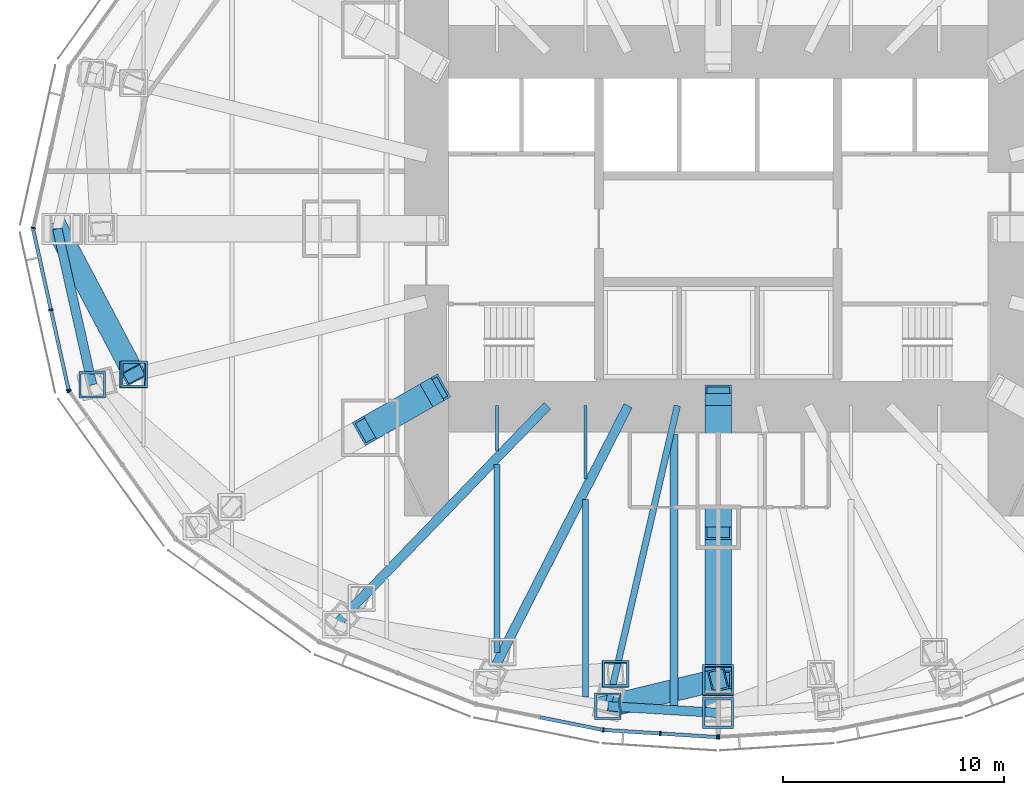
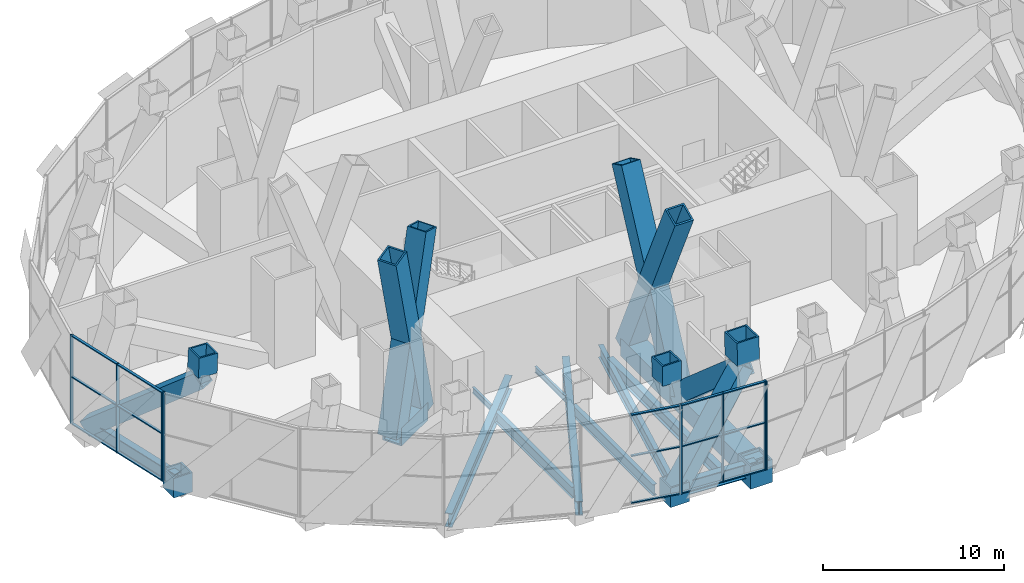
# One storey, part 3 of 21: 36 members, 13 beams, 6 elements without a shape of their own.
"""IFC4 building model written with IfcOpenShell, lengths in metres."""

import ifcopenshell
import ifcopenshell.guid

model = None  # the IFC model being written
_history = None  # IfcOwnerHistory: only IFC2X3 demands one
_inside = {}  # id of a spatial element -> (the spatial element, [elements in it])
_under = {}  # id of a project, library or spatial element -> (it, [spatial elements below it])
_declared = {}  # id of a project -> (the project, [libraries it declares])
_typed = {}  # id of a type object -> (the type object, [elements of that type])
_made_of = {}  # id of a material, layer set ... -> (it, [elements and type objects made of it])


def new_model(schema):
    """Start an empty IFC model of exactly this schema.

    Asked for "IFC4X3", IfcOpenShell would pick the latest addendum, in which some entities
    have other attributes; the version numbers below select the first issue.
    IFC2X3 requires an IfcOwnerHistory on every rooted entity: one is made here for all.
    """
    global model, _history
    if schema == "IFC4X3":
        model = ifcopenshell.file(schema_version=(4, 3, 0, 0))
    else:
        model = ifcopenshell.file(schema=schema)
    _inside.clear()
    _under.clear()
    _declared.clear()
    _typed.clear()
    _made_of.clear()
    _history = None
    if model.schema == "IFC2X3":
        org = make("IfcOrganization", Name="unknown")
        user = make(
            "IfcPersonAndOrganization",
            ThePerson=make("IfcPerson", FamilyName="unknown"),
            TheOrganization=org,
        )
        app = make(
            "IfcApplication",
            ApplicationDeveloper=org,
            Version="unknown",
            ApplicationFullName="unknown",
            ApplicationIdentifier="unknown",
        )
        _history = make(
            "IfcOwnerHistory",
            OwningUser=user,
            OwningApplication=app,
            ChangeAction="ADDED",
            CreationDate=0,
        )
    return model


def make(cls, **values):
    """One entity of the class cls with the attributes given. An attribute that is None is left unset."""
    return model.create_entity(
        cls, **{name: value for name, value in values.items() if value is not None}
    )


def rooted(cls, **values):
    """An entity with a GlobalId (a new one), such as an element, a storey or a relation."""
    return make(cls, GlobalId=ifcopenshell.guid.new(), OwnerHistory=_history, **values)


def si_unit(unit_type, name, prefix=None):
    """IfcSIUnit, for example si_unit("LENGTHUNIT", "METRE", prefix="MILLI")."""
    return make("IfcSIUnit", UnitType=unit_type, Prefix=prefix, Name=name)


def assignment(units):
    """IfcUnitAssignment: the units of a project."""
    return None if units is None else make("IfcUnitAssignment", Units=units)


def point(xyz):
    """IfcCartesianPoint."""
    return None if xyz is None else make("IfcCartesianPoint", Coordinates=xyz)


def direction(xyz):
    """IfcDirection."""
    return None if xyz is None else make("IfcDirection", DirectionRatios=xyz)


def frame(location, z_axis=None, x_axis=None):
    """IfcAxis2Placement3D, a coordinate frame: its origin and axes. An axis left out is left unset."""
    return make(
        "IfcAxis2Placement3D",
        Location=point(location),
        Axis=direction(z_axis),
        RefDirection=direction(x_axis),
    )


def frame_2d(location, x_axis=None):
    """IfcAxis2Placement2D, a coordinate frame in the plane: its origin and x axis."""
    return make(
        "IfcAxis2Placement2D", Location=point(location), RefDirection=direction(x_axis)
    )


def origin():
    """The frame at (0, 0, 0) with its axes left unset."""
    return frame((0.0, 0.0, 0.0))


def origin_2d():
    """The frame at (0, 0) in the plane with its x axis left unset."""
    return frame_2d((0.0, 0.0))


def place(relative_to, where):
    """IfcLocalPlacement: puts the frame where relative to a parent placement (None: the world)."""
    return make(
        "IfcLocalPlacement", PlacementRelTo=relative_to, RelativePlacement=where
    )


def context(
    kind, dimensions, precision=None, world=None, true_north=None, identifier=None
):
    """IfcGeometricRepresentationContext, for example the 3D "Model" context."""
    return make(
        "IfcGeometricRepresentationContext",
        ContextIdentifier=identifier,
        ContextType=kind,
        CoordinateSpaceDimension=dimensions,
        Precision=precision,
        WorldCoordinateSystem=world,
        TrueNorth=true_north,
    )


def subcontext(parent, identifier, kind, view, scale=None):
    """IfcGeometricRepresentationSubContext, for example "Body" below "Model"."""
    return make(
        "IfcGeometricRepresentationSubContext",
        ContextIdentifier=identifier,
        ContextType=kind,
        ParentContext=parent,
        TargetScale=scale,
        TargetView=view,
    )


def project(units=None, contexts=None):
    """IfcProject with its units and contexts."""
    return rooted(
        "IfcProject",
        Name="project",
        RepresentationContexts=contexts,
        UnitsInContext=assignment(units),
    )


def spatial(cls, under=None, at=None, **own):
    """A site, building, storey or space (cls), placed at a placement, below another one or the project."""
    s = rooted(cls, ObjectPlacement=at, **own)
    if under is not None:
        _under.setdefault(under.id(), (under, []))[1].append(s)
    return s


def profile(cls, at=None, kind="AREA", **sizes):
    """A parametric profile (cls). Its sizes go by their IFC names, for example OverallWidth=200.0."""
    return make(cls, ProfileType=kind, Position=at, **sizes)


def rectangle(**sizes):
    """IfcRectangleProfileDef."""
    return profile("IfcRectangleProfileDef", **sizes)


def hollow_rectangle(**sizes):
    """IfcRectangleHollowProfileDef."""
    return profile("IfcRectangleHollowProfileDef", **sizes)


def i_section(**sizes):
    """IfcIShapeProfileDef."""
    return profile("IfcIShapeProfileDef", **sizes)


def extrude(swept, where, along, depth):
    """IfcExtrudedAreaSolid: the profile swept, set in the frame where, extruded along a direction by depth."""
    return make(
        "IfcExtrudedAreaSolid",
        SweptArea=swept,
        Position=where,
        ExtrudedDirection=direction(along),
        Depth=depth,
    )


def shape(context_of_items, identifier, shape_type, items):
    """IfcShapeRepresentation: the items that make up one representation, for example the "Body"."""
    return make(
        "IfcShapeRepresentation",
        ContextOfItems=context_of_items,
        RepresentationIdentifier=identifier,
        RepresentationType=shape_type,
        Items=items,
    )


def material(Name=None, Category=None):
    """IfcMaterial."""
    return make("IfcMaterial", Name=Name, Category=Category)


def material_profile(
    of_material, cross_section, Name=None, Category=None, Priority=None
):
    """IfcMaterialProfile: a cross section and its material."""
    return make(
        "IfcMaterialProfile",
        Name=Name,
        Material=of_material,
        Profile=cross_section,
        Priority=Priority,
        Category=Category,
    )


def profile_set(profiles, Name=None, composite=None):
    """IfcMaterialProfileSet."""
    return make(
        "IfcMaterialProfileSet",
        Name=Name,
        MaterialProfiles=profiles,
        CompositeProfile=composite,
    )


def made_of(thing, what):
    """Note that an element or type object is made of a material, layer set ...; save() writes the relation."""
    if what is not None:
        _made_of.setdefault(what.id(), (what, []))[1].append(thing)
    return thing


def type_object(cls, material=None, **own):
    """A type object (cls), such as IfcWallType, which elements share."""
    return made_of(rooted(cls, **own), material)


def element(
    cls,
    number,
    at=None,
    inside=None,
    cuts=None,
    type_object=None,
    material=None,
    context=None,
    identifier="Body",
    shape_type=None,
    held_by="IfcProductDefinitionShape",
    body=None,
    shapes=None,
    **own,
):
    """One element of the class cls, such as IfcWall. Its Tag is "e" and its number.

    at: its placement. inside: the storey or other place that contains it. cuts: it is an
    opening in that element (IfcRelVoidsElement). A single representation is given by context,
    identifier, shape_type and body (its items); several are given by shapes. held_by: the class
    of the entity that holds the representations. save() writes the other relations.
    """
    e = rooted(cls, Tag="e%d" % number, ObjectPlacement=at, **own)
    if body is not None:
        shapes = [shape(context, identifier, shape_type, body)]
    if shapes is not None:
        e.Representation = make(held_by, Representations=shapes)
    if inside is not None:
        _inside.setdefault(inside.id(), (inside, []))[1].append(e)
    if cuts is not None:
        rooted(
            "IfcRelVoidsElement", RelatingBuildingElement=cuts, RelatedOpeningElement=e
        )
    if type_object is not None:
        _typed.setdefault(type_object.id(), (type_object, []))[1].append(e)
    return made_of(e, material)


def aggregate(whole, parts):
    """IfcRelAggregates: a whole, such as a stair, and the parts it consists of."""
    return rooted("IfcRelAggregates", RelatingObject=whole, RelatedObjects=parts)


def save(model, path):
    """Write the relations noted so far, then the file.

    IfcRelAggregates (storeys below a building ...), IfcRelContainedInSpatialStructure (elements
    in a storey), IfcRelDefinesByType, IfcRelAssociatesMaterial and IfcRelDeclares: one each for
    every whole, place, type object, material and project.
    """
    for whole, parts in _under.values():
        aggregate(whole, parts)
    for where, things in _inside.values():
        rooted(
            "IfcRelContainedInSpatialStructure",
            RelatedElements=things,
            RelatingStructure=where,
        )
    for kind, things in _typed.values():
        rooted("IfcRelDefinesByType", RelatedObjects=things, RelatingType=kind)
    for what, things in _made_of.values():
        rooted("IfcRelAssociatesMaterial", RelatedObjects=things, RelatingMaterial=what)
    for by, libraries in _declared.values():
        rooted("IfcRelDeclares", RelatingContext=by, RelatedDefinitions=libraries)
    model.write(path)


model = new_model("IFC4")

# Units and contexts
model_context = context("Model", 3, precision=1e-05, world=origin(), true_north=direction((0.0, 1.0)))
body_context = subcontext(model_context, "Body", "Model", "MODEL_VIEW")
ifc_project = project(units=[si_unit("LENGTHUNIT", "METRE"), si_unit("AREAUNIT", "SQUARE_METRE"), si_unit("VOLUMEUNIT", "CUBIC_METRE"), si_unit("PLANEANGLEUNIT", "RADIAN"), si_unit("MASSUNIT", "GRAM", prefix="KILO")], contexts=[model_context])

# Site, building, storey
site_placement = place(None, origin())
site = spatial("IfcSite", under=ifc_project, at=site_placement, CompositionType="ELEMENT")
building_placement = place(site_placement, origin())
building = spatial("IfcBuilding", under=site, at=building_placement, Name="Lantaw Convention Tower", CompositionType="ELEMENT")
storey_placement = place(building_placement, frame((0.0, 0.0, 105.39990234375)))
storey = spatial("IfcBuildingStorey", under=building, at=storey_placement, Name="L25", CompositionType="ELEMENT", Elevation=105.39990234375)

# Beams
ifc_material_1 = material(Name="Steel ASTM A992", Category="steel")
ifc_material_profile_1 = material_profile(ifc_material_1, i_section(OverallWidth=0.424072265625, OverallDepth=0.947509765625, WebThickness=0.02392578125, FlangeThickness=0.042724609375, FilletRadius=0.012451171875, at=origin_2d()), Name="W36X302")
ifc_profile_set_1 = profile_set([ifc_material_profile_1], Name="Steel ASTM A992")
beam_type_1 = type_object("IfcBeamType", Name="Beam BC W36X302", PredefinedType="SPANDREL", material=ifc_profile_set_1)
beam_1_placement = place(storey_placement, frame((-29.89990234375, 0.0, -0.673583984375), z_axis=(0.218652184873, -0.975802860239, 0.0), x_axis=(0.975802860239, 0.218652184873, 0.0)))
element("IfcBeam", 1, at=beam_1_placement, inside=storey, type_object=beam_type_1, Name="Belt truss chord 13", PredefinedType="SPANDREL", context=body_context, shape_type="SweptSolid", body=[
    extrude(i_section(OverallWidth=0.424072265625, OverallDepth=0.947509765625, WebThickness=0.02392578125, FlangeThickness=0.042724609375, FilletRadius=0.012451171875, at=origin_2d()), origin(), (0.0, 0.0, 1.0), 7.2353515625),
])
beam_2_placement = place(storey_placement, frame((-4.986328125, -21.59814453125, -0.673583984375), z_axis=(0.998173858406, -0.060406526096, 0.0), x_axis=(0.060406526096, 0.998173858406, 0.0)))
element("IfcBeam", 2, at=beam_2_placement, inside=storey, type_object=beam_type_1, Name="Belt truss chord 18", PredefinedType="SPANDREL", context=body_context, shape_type="SweptSolid", body=[
    extrude(i_section(OverallWidth=0.424072265625, OverallDepth=0.947509765625, WebThickness=0.02392578125, FlangeThickness=0.042724609375, FilletRadius=0.012451171875, at=origin_2d()), origin(), (0.0, 0.0, 1.0), 4.995361328125),
])
ifc_material_2 = material(Name="Steel EN 10025-3 S460N", Category="steel")
ifc_material_profile_2 = material_profile(ifc_material_2, hollow_rectangle(XDim=1.199951171875, YDim=1.199951171875, WallThickness=0.10009765625, at=origin_2d()), Name="BOX1200X100")
ifc_profile_set_2 = profile_set([ifc_material_profile_2], Name="Steel EN 10025-3 S460N")
beam_type_2 = type_object("IfcBeamType", Name="Beam G BOX1200X100", PredefinedType="BEAM", material=ifc_profile_set_2)
beam_3_placement = place(storey_placement, frame((0.0, -13.5, -0.7998046875), z_axis=(0.0, -1.0, 0.0), x_axis=(1.0, 0.0, 0.0)))
element("IfcBeam", 3, at=beam_3_placement, inside=storey, type_object=beam_type_2, Name="Floor girder on ray 19", PredefinedType="BEAM", context=body_context, shape_type="SweptSolid", body=[
    extrude(hollow_rectangle(XDim=1.199951171875, YDim=1.199951171875, WallThickness=0.10009765625, at=origin_2d()), origin(), (0.0, 0.0, 1.0), 8.39990234375),
])
ifc_material_profile_3 = material_profile(ifc_material_1, i_section(OverallWidth=0.2919921875, OverallDepth=0.845703125, WebThickness=0.015380859375, FlangeThickness=0.0244140625, FilletRadius=0.01513671875, at=origin_2d()), Name="W33X141")
ifc_profile_set_3 = profile_set([ifc_material_profile_3], Name="Steel ASTM A992")
beam_type_3 = type_object("IfcBeamType", Name="Beam G W33X141", PredefinedType="BEAM", material=ifc_profile_set_3)
beam_4_placement = place(storey_placement, frame((-1.846923828125, -8.0, -0.622802734375), z_axis=(-0.224952773175, -0.97436966796, 0.0), x_axis=(0.97436966796, -0.224952773175, 0.0)))
element("IfcBeam", 4, at=beam_4_placement, inside=storey, type_object=beam_type_3, Name="Floor girder on ray 18", PredefinedType="BEAM", context=body_context, shape_type="SweptSolid", body=[
    extrude(i_section(OverallWidth=0.2919921875, OverallDepth=0.845703125, WebThickness=0.015380859375, FlangeThickness=0.0244140625, FilletRadius=0.01513671875, at=origin_2d()), origin(), (0.0, 0.0, 1.0), 13.955810546875),
])
ifc_material_profile_4 = material_profile(ifc_material_1, i_section(OverallWidth=0.421630859375, OverallDepth=0.937255859375, WebThickness=0.0224609375, FlangeThickness=0.039794921875, FilletRadius=0.02001953125, at=origin_2d()), Name="W36X282")
ifc_profile_set_4 = profile_set([ifc_material_profile_4], Name="Steel ASTM A992")
beam_type_4 = type_object("IfcBeamType", Name="Beam G W36X282", PredefinedType="BEAM", material=ifc_profile_set_4)
beam_5_placement = place(storey_placement, frame((-7.7255859375, -8.0, -0.66845703125), z_axis=(-0.694649884291, -0.719347995239, 0.0), x_axis=(0.719347995239, -0.694649884291, 0.0)))
element("IfcBeam", 5, at=beam_5_placement, inside=storey, type_object=beam_type_4, Name="Floor girder on ray 16", PredefinedType="BEAM", context=body_context, shape_type="SweptSolid", body=[
    extrude(i_section(OverallWidth=0.421630859375, OverallDepth=0.937255859375, WebThickness=0.0224609375, FlangeThickness=0.039794921875, FilletRadius=0.02001953125, at=origin_2d()), origin(), (0.0, 0.0, 1.0), 13.769775390625),
])
beam_6_placement = place(storey_placement, frame((-4.076171875, -8.0, -0.66845703125), z_axis=(-0.453997016122, -0.891003203896, 0.0), x_axis=(0.891003203896, -0.453997016122, 0.0)))
element("IfcBeam", 6, at=beam_6_placement, inside=storey, type_object=beam_type_4, Name="Floor girder on ray 17", PredefinedType="BEAM", context=body_context, shape_type="SweptSolid", body=[
    extrude(i_section(OverallWidth=0.421630859375, OverallDepth=0.937255859375, WebThickness=0.0224609375, FlangeThickness=0.039794921875, FilletRadius=0.02001953125, at=origin_2d()), origin(), (0.0, 0.0, 1.0), 14.067138671875),
])
ifc_material_profile_5 = material_profile(ifc_material_1, i_section(OverallWidth=0.140380859375, OverallDepth=0.40380859375, WebThickness=0.007080078125, FlangeThickness=0.01123046875, FilletRadius=0.01025390625, at=origin_2d()), Name="W16X31")
ifc_profile_set_5 = profile_set([ifc_material_profile_5], Name="Steel ASTM A992")
beam_type_5 = type_object("IfcBeamType", Name="Beam J W16X31", PredefinedType="JOIST", material=ifc_profile_set_5)
beam_7_placement = place(storey_placement, frame((-10.0, -10.0517578125, -0.40185546875), z_axis=(0.0, 1.0, 0.0), x_axis=(-1.0, 0.0, 0.0)))
element("IfcBeam", 7, at=beam_7_placement, inside=storey, type_object=beam_type_5, Name="Floor joist", PredefinedType="JOIST", context=body_context, shape_type="SweptSolid", body=[
    extrude(i_section(OverallWidth=0.140380859375, OverallDepth=0.40380859375, WebThickness=0.007080078125, FlangeThickness=0.01123046875, FilletRadius=0.01025390625, at=origin_2d()), origin(), (0.0, 0.0, 1.0), 2.0517578125),
])
beam_8_placement = place(storey_placement, frame((-6.0, -11.311279296875, -0.40185546875), z_axis=(0.0, 1.0, 0.0), x_axis=(-1.0, 0.0, 0.0)))
element("IfcBeam", 8, at=beam_8_placement, inside=storey, type_object=beam_type_5, Name="Floor joist", PredefinedType="JOIST", context=body_context, shape_type="SweptSolid", body=[
    extrude(i_section(OverallWidth=0.140380859375, OverallDepth=0.40380859375, WebThickness=0.007080078125, FlangeThickness=0.01123046875, FilletRadius=0.01025390625, at=origin_2d()), origin(), (0.0, 0.0, 1.0), 3.311279296875),
])
ifc_material_profile_6 = material_profile(ifc_material_1, i_section(OverallWidth=0.2666015625, OverallDepth=0.7568359375, WebThickness=0.013916015625, FlangeThickness=0.019287109375, FilletRadius=0.0126953125, at=origin_2d()), Name="W30X108")
ifc_profile_set_6 = profile_set([ifc_material_profile_6], Name="Steel ASTM A992")
beam_type_6 = type_object("IfcBeamType", Name="Beam J W30X108", PredefinedType="JOIST", material=ifc_profile_set_6)
beam_9_placement = place(storey_placement, frame((-10.0, -19.16162109375, -0.578369140625), z_axis=(0.0, 1.0, 0.0), x_axis=(-1.0, 0.0, 0.0)))
element("IfcBeam", 9, at=beam_9_placement, inside=storey, type_object=beam_type_6, Name="Floor joist", PredefinedType="JOIST", context=body_context, shape_type="SweptSolid", body=[
    extrude(i_section(OverallWidth=0.2666015625, OverallDepth=0.7568359375, WebThickness=0.013916015625, FlangeThickness=0.019287109375, FilletRadius=0.0126953125, at=origin_2d()), origin(), (0.0, 0.0, 1.0), 8.5029296875),
])
ifc_material_profile_7 = material_profile(ifc_material_1, i_section(OverallWidth=0.2666015625, OverallDepth=0.76953125, WebThickness=0.015625, FlangeThickness=0.025390625, FilletRadius=0.0126953125, at=origin_2d()), Name="W30X132")
ifc_profile_set_7 = profile_set([ifc_material_profile_7], Name="Steel ASTM A992")
beam_type_7 = type_object("IfcBeamType", Name="Beam J W30X132", PredefinedType="JOIST", material=ifc_profile_set_7)
beam_10_placement = place(storey_placement, frame((-6.0, -21.18505859375, -0.584716796875), z_axis=(0.0, 1.0, 0.0), x_axis=(-1.0, 0.0, 0.0)))
element("IfcBeam", 10, at=beam_10_placement, inside=storey, type_object=beam_type_7, Name="Floor joist", PredefinedType="JOIST", context=body_context, shape_type="SweptSolid", body=[
    extrude(i_section(OverallWidth=0.2666015625, OverallDepth=0.76953125, WebThickness=0.015625, FlangeThickness=0.025390625, FilletRadius=0.0126953125, at=origin_2d()), origin(), (0.0, 0.0, 1.0), 8.945068359375),
])
ifc_material_profile_8 = material_profile(ifc_material_1, i_section(OverallWidth=0.381103515625, OverallDepth=0.772216796875, WebThickness=0.0166015625, FlangeThickness=0.027099609375, FilletRadius=0.0146484375, at=origin_2d()), Name="W30X173")
ifc_profile_set_8 = profile_set([ifc_material_profile_8], Name="Steel ASTM A992")
beam_type_8 = type_object("IfcBeamType", Name="Beam J W30X173", PredefinedType="JOIST", material=ifc_profile_set_8)
beam_11_placement = place(storey_placement, frame((-2.0, -21.56640625, -0.5859375), z_axis=(0.0, 1.0, 0.0), x_axis=(-1.0, 0.0, 0.0)))
element("IfcBeam", 11, at=beam_11_placement, inside=storey, type_object=beam_type_8, Name="Floor joist", PredefinedType="JOIST", context=body_context, shape_type="SweptSolid", body=[
    extrude(i_section(OverallWidth=0.381103515625, OverallDepth=0.772216796875, WebThickness=0.0166015625, FlangeThickness=0.027099609375, FilletRadius=0.0146484375, at=origin_2d()), origin(), (0.0, 0.0, 1.0), 12.254150390625),
])
ifc_material_profile_9 = material_profile(ifc_material_2, hollow_rectangle(XDim=1.199951171875, YDim=1.199951171875, WallThickness=0.10009765625, at=origin_2d()), Name="BOX1200X100")
ifc_profile_set_9 = profile_set([ifc_material_profile_9], Name="Steel EN 10025-3 S460N")
beam_type_9 = type_object("IfcBeamType", Name="Beam OC BOX1200X100", PredefinedType="BEAM", material=ifc_profile_set_9)
beam_12_placement = place(storey_placement, frame((-13.199951171875, -7.54296875, -0.7998046875), z_axis=(-0.868263603466, -0.496103129295, 0.0), x_axis=(0.496103129295, -0.868263603466, 0.0)))
element("IfcBeam", 12, at=beam_12_placement, inside=storey, type_object=beam_type_9, Name="Outrigger chord on ray 15", PredefinedType="BEAM", context=body_context, shape_type="SweptSolid", body=[
    extrude(hollow_rectangle(XDim=1.199951171875, YDim=1.199951171875, WallThickness=0.10009765625, at=origin_2d()), origin(), (0.0, 0.0, 1.0), 2.93701171875),
])
beam_13_placement = place(storey_placement, frame((0.0, -8.0, -0.7998046875), z_axis=(0.0, -1.0, 0.0), x_axis=(1.0, 0.0, 0.0)))
element("IfcBeam", 13, at=beam_13_placement, inside=storey, type_object=beam_type_9, Name="Outrigger chord on ray 19", PredefinedType="BEAM", context=body_context, shape_type="SweptSolid", body=[
    extrude(hollow_rectangle(XDim=1.199951171875, YDim=1.199951171875, WallThickness=0.10009765625, at=origin_2d()), origin(), (0.0, 0.0, 1.0), 5.5),
])

# Curtain wall, member
ifc_material_3 = material(Name="Aluminium framed curtain wall", Category="aluminium")
curtain_wall_type = type_object("IfcCurtainWallType", Name="Plant floor louvre wall, pale aluminium", PredefinedType="USERDEFINED", material=ifc_material_3)
curtain_wall_1_placement = place(storey_placement, origin())
curtain_wall_1 = element("IfcCurtainWall", 14, at=curtain_wall_1_placement, inside=storey, type_object=curtain_wall_type, Name="Plant floor louvre wall, pale aluminium L25", ObjectType="LOUVRE WALL", PredefinedType="USERDEFINED")
ifc_material_4 = material(Name="Aluminium 6063-T6", Category="aluminium")
ifc_material_profile_10 = material_profile(ifc_material_4, rectangle(XDim=0.199951171875, YDim=0.070068359375, at=origin_2d()), Name="CW-LV mullion 70x200")
ifc_profile_set_10 = profile_set([ifc_material_profile_10], Name="Aluminium 6063-T6")
member_type_1 = type_object("IfcMemberType", Name="CW-LV mullion 70x200", PredefinedType="MULLION", material=ifc_profile_set_10)
member_1_placement = place(storey_placement, frame((-30.992431640625, 0.0341796875, -0.199951171875), z_axis=(0.0, 0.0, 1.0), x_axis=(0.976559847223, -0.215246056391, 0.0)))
member_1 = element("IfcMember", 15, at=member_1_placement, type_object=member_type_1, Name="CW-LV mullion 3", PredefinedType="MULLION", context=body_context, shape_type="SweptSolid", body=[
    extrude(rectangle(XDim=0.199951171875, YDim=0.070068359375, at=origin_2d()), origin(), (0.0, 0.0, 1.0), 6.0),
])
aggregate(curtain_wall_1, [member_1])

# Curtain wall, members
curtain_wall_2_placement = place(storey_placement, origin())
curtain_wall_2 = element("IfcCurtainWall", 16, at=curtain_wall_2_placement, inside=storey, type_object=curtain_wall_type, Name="Plant floor louvre wall, pale aluminium L25", ObjectType="LOUVRE WALL", PredefinedType="USERDEFINED")
member_2_placement = place(storey_placement, frame((-30.192626953125, -3.663330078125, -0.199951171875), z_axis=(0.0, 0.0, 1.0), x_axis=(0.976559847223, 0.215246056391, 0.0)))
member_2 = element("IfcMember", 17, at=member_2_placement, type_object=member_type_1, Name="CW-LV mullion 2", PredefinedType="MULLION", context=body_context, shape_type="SweptSolid", body=[
    extrude(rectangle(XDim=0.199951171875, YDim=0.070068359375, at=origin_2d()), origin(), (0.0, 0.0, 1.0), 6.0),
])
member_3_placement = place(storey_placement, frame((-29.392578125, -7.29248046875, -0.199951171875), z_axis=(0.0, 0.0, 1.0), x_axis=(0.976559847223, 0.215246056391, 0.0)))
member_3 = element("IfcMember", 18, at=member_3_placement, type_object=member_type_1, Name="CW-LV mullion 3", PredefinedType="MULLION", context=body_context, shape_type="SweptSolid", body=[
    extrude(rectangle(XDim=0.199951171875, YDim=0.070068359375, at=origin_2d()), origin(), (0.0, 0.0, 1.0), 6.0),
])

# Curtain wall, member
curtain_wall_3_placement = place(storey_placement, origin())
curtain_wall_3 = element("IfcCurtainWall", 19, at=curtain_wall_3_placement, inside=storey, type_object=curtain_wall_type, Name="Plant floor louvre wall, pale aluminium L25", ObjectType="LOUVRE WALL", PredefinedType="USERDEFINED")
member_4_placement = place(storey_placement, frame((-29.36474609375, -7.35498046875, -0.199951171875), z_axis=(0.0, 0.0, 1.0), x_axis=(0.811788726895, 0.583951250436, 0.0)))
member_4 = element("IfcMember", 20, at=member_4_placement, type_object=member_type_1, Name="CW-LV mullion 1", PredefinedType="MULLION", context=body_context, shape_type="SweptSolid", body=[
    extrude(rectangle(XDim=0.199951171875, YDim=0.070068359375, at=origin_2d()), origin(), (0.0, 0.0, 1.0), 6.0),
])
aggregate(curtain_wall_3, [member_4])

# Curtain wall, members
curtain_wall_4_placement = place(storey_placement, origin())
curtain_wall_4 = element("IfcCurtainWall", 21, at=curtain_wall_4_placement, inside=storey, type_object=curtain_wall_type, Name="Plant floor louvre wall, pale aluminium L25", ObjectType="LOUVRE WALL", PredefinedType="USERDEFINED")
member_5_placement = place(storey_placement, frame((-5.19873046875, -22.672119140625, -0.199951171875), z_axis=(0.0, 0.0, 1.0), x_axis=(0.062958373078, 0.998016153807, 0.0)))
member_5 = element("IfcMember", 22, at=member_5_placement, type_object=member_type_1, Name="CW-LV mullion 1", PredefinedType="MULLION", context=body_context, shape_type="SweptSolid", body=[
    extrude(rectangle(XDim=0.199951171875, YDim=0.070068359375, at=origin_2d()), origin(), (0.0, 0.0, 1.0), 6.0),
])
member_6_placement = place(storey_placement, frame((-2.616943359375, -22.8349609375, -0.199951171875), z_axis=(0.0, 0.0, 1.0), x_axis=(0.062958373078, 0.998016153807, 0.0)))
member_6 = element("IfcMember", 23, at=member_6_placement, type_object=member_type_1, Name="CW-LV mullion 2", PredefinedType="MULLION", context=body_context, shape_type="SweptSolid", body=[
    extrude(rectangle(XDim=0.199951171875, YDim=0.070068359375, at=origin_2d()), origin(), (0.0, 0.0, 1.0), 6.0),
])
member_7_placement = place(storey_placement, frame((-0.034912109375, -22.997802734375, -0.199951171875), z_axis=(0.0, 0.0, 1.0), x_axis=(0.062958373078, 0.998016153807, 0.0)))
member_7 = element("IfcMember", 24, at=member_7_placement, type_object=member_type_1, Name="CW-LV mullion 3", PredefinedType="MULLION", context=body_context, shape_type="SweptSolid", body=[
    extrude(rectangle(XDim=0.199951171875, YDim=0.070068359375, at=origin_2d()), origin(), (0.0, 0.0, 1.0), 6.0),
])

# Curtain wall, member
curtain_wall_5_placement = place(storey_placement, origin())
curtain_wall_5 = element("IfcCurtainWall", 25, at=curtain_wall_5_placement, inside=storey, type_object=curtain_wall_type, Name="Plant floor louvre wall, pale aluminium L25", ObjectType="LOUVRE WALL", PredefinedType="USERDEFINED")
member_8_placement = place(storey_placement, frame((0.034912109375, -22.997802734375, -0.199951171875), z_axis=(0.0, 0.0, 1.0), x_axis=(-0.062958373078, 0.998016153807, 0.0)))
member_8 = element("IfcMember", 26, at=member_8_placement, type_object=member_type_1, Name="CW-LV mullion 1", PredefinedType="MULLION", context=body_context, shape_type="SweptSolid", body=[
    extrude(rectangle(XDim=0.199951171875, YDim=0.070068359375, at=origin_2d()), origin(), (0.0, 0.0, 1.0), 6.0),
])
aggregate(curtain_wall_5, [member_8])

# Member
ifc_material_profile_11 = material_profile(ifc_material_4, rectangle(XDim=0.159912109375, YDim=0.070068359375, at=origin_2d()), Name="CW-LV transom 70x160")
ifc_profile_set_11 = profile_set([ifc_material_profile_11], Name="Aluminium 6063-T6")
member_type_2 = type_object("IfcMemberType", Name="CW-LV transom 70x160", PredefinedType="USERDEFINED", material=ifc_profile_set_11)
member_9_placement = place(storey_placement, frame((-30.98486328125, -0.068359375, -0.164794921875), z_axis=(0.215200259718, -0.976569940259, 0.0), x_axis=(0.976569940259, 0.215200259718, 0.0)))
member_9 = element("IfcMember", 27, at=member_9_placement, type_object=member_type_2, Name="CW-LV transom 1.1", ObjectType="TRANSOM", PredefinedType="USERDEFINED", context=body_context, shape_type="SweptSolid", body=[
    extrude(rectangle(XDim=0.159912109375, YDim=0.070068359375, at=origin_2d()), origin(), (0.0, 0.0, 1.0), 3.646240234375),
])

member_10_placement = place(storey_placement, frame((-30.98486328125, -0.068359375, 3.0), z_axis=(0.215200259718, -0.976569940259, 0.0), x_axis=(0.976569940259, 0.215200259718, 0.0)))
member_10 = element("IfcMember", 28, at=member_10_placement, type_object=member_type_2, Name="CW-LV transom 1.2", ObjectType="TRANSOM", PredefinedType="USERDEFINED", context=body_context, shape_type="SweptSolid", body=[
    extrude(rectangle(XDim=0.159912109375, YDim=0.070068359375, at=origin_2d()), origin(), (0.0, 0.0, 1.0), 3.646240234375),
])

member_11_placement = place(storey_placement, frame((-30.98486328125, -0.068359375, 5.76513671875), z_axis=(0.215200259718, -0.976569940259, 0.0), x_axis=(0.976569940259, 0.215200259718, 0.0)))
member_11 = element("IfcMember", 29, at=member_11_placement, type_object=member_type_2, Name="CW-LV transom 1.3", ObjectType="TRANSOM", PredefinedType="USERDEFINED", context=body_context, shape_type="SweptSolid", body=[
    extrude(rectangle(XDim=0.159912109375, YDim=0.070068359375, at=origin_2d()), origin(), (0.0, 0.0, 1.0), 3.646240234375),
])

member_12_placement = place(storey_placement, frame((-30.18505859375, -3.697509765625, -0.164794921875), z_axis=(0.215264114619, -0.976555866788, 0.0), x_axis=(0.976555866788, 0.215264114619, 0.0)))
member_12 = element("IfcMember", 30, at=member_12_placement, type_object=member_type_2, Name="CW-LV transom 2.1", ObjectType="TRANSOM", PredefinedType="USERDEFINED", context=body_context, shape_type="SweptSolid", body=[
    extrude(rectangle(XDim=0.159912109375, YDim=0.070068359375, at=origin_2d()), origin(), (0.0, 0.0, 1.0), 3.646240234375),
])

member_13_placement = place(storey_placement, frame((-30.18505859375, -3.697509765625, 3.0), z_axis=(0.215264114619, -0.976555866788, 0.0), x_axis=(0.976555866788, 0.215264114619, 0.0)))
member_13 = element("IfcMember", 31, at=member_13_placement, type_object=member_type_2, Name="CW-LV transom 2.2", ObjectType="TRANSOM", PredefinedType="USERDEFINED", context=body_context, shape_type="SweptSolid", body=[
    extrude(rectangle(XDim=0.159912109375, YDim=0.070068359375, at=origin_2d()), origin(), (0.0, 0.0, 1.0), 3.646240234375),
])

member_14_placement = place(storey_placement, frame((-30.18505859375, -3.697509765625, 5.76513671875), z_axis=(0.215264114619, -0.976555866788, 0.0), x_axis=(0.976555866788, 0.215264114619, 0.0)))
member_14 = element("IfcMember", 32, at=member_14_placement, type_object=member_type_2, Name="CW-LV transom 2.3", ObjectType="TRANSOM", PredefinedType="USERDEFINED", context=body_context, shape_type="SweptSolid", body=[
    extrude(rectangle(XDim=0.159912109375, YDim=0.070068359375, at=origin_2d()), origin(), (0.0, 0.0, 1.0), 3.646240234375),
])

aggregate(curtain_wall_2, [member_2, member_3, member_9, member_10, member_11, member_12, member_13, member_14])

# Curtain wall, members
curtain_wall_6_placement = place(storey_placement, origin())
curtain_wall_6 = element("IfcCurtainWall", 33, at=curtain_wall_6_placement, inside=storey, type_object=curtain_wall_type, Name="Plant floor louvre wall, pale aluminium L25", ObjectType="LOUVRE WALL", PredefinedType="USERDEFINED")
member_15_placement = place(storey_placement, frame((-8.0634765625, -22.098876953125, -0.164794921875), z_axis=(0.980245910217, -0.197782596562, 0.0), x_axis=(0.197782596562, 0.980245910217, 0.0)))
member_15 = element("IfcMember", 34, at=member_15_placement, type_object=member_type_2, Name="CW-LV transom 2.1", ObjectType="TRANSOM", PredefinedType="USERDEFINED", context=body_context, shape_type="SweptSolid", body=[
    extrude(rectangle(XDim=0.159912109375, YDim=0.070068359375, at=origin_2d()), origin(), (0.0, 0.0, 1.0), 2.81689453125),
])
member_16_placement = place(storey_placement, frame((-8.0634765625, -22.098876953125, 3.0), z_axis=(0.980245910217, -0.197782596562, 0.0), x_axis=(0.197782596562, 0.980245910217, 0.0)))
member_16 = element("IfcMember", 35, at=member_16_placement, type_object=member_type_2, Name="CW-LV transom 2.2", ObjectType="TRANSOM", PredefinedType="USERDEFINED", context=body_context, shape_type="SweptSolid", body=[
    extrude(rectangle(XDim=0.159912109375, YDim=0.070068359375, at=origin_2d()), origin(), (0.0, 0.0, 1.0), 2.81689453125),
])
member_17_placement = place(storey_placement, frame((-8.0634765625, -22.098876953125, 5.76513671875), z_axis=(0.980245910217, -0.197782596562, 0.0), x_axis=(0.197782596562, 0.980245910217, 0.0)))
member_17 = element("IfcMember", 36, at=member_17_placement, type_object=member_type_2, Name="CW-LV transom 2.3", ObjectType="TRANSOM", PredefinedType="USERDEFINED", context=body_context, shape_type="SweptSolid", body=[
    extrude(rectangle(XDim=0.159912109375, YDim=0.070068359375, at=origin_2d()), origin(), (0.0, 0.0, 1.0), 2.81689453125),
])
aggregate(curtain_wall_6, [member_15, member_16, member_17])

# Member
member_18_placement = place(storey_placement, frame((-5.163818359375, -22.67431640625, -0.164794921875), z_axis=(0.998016558163, -0.062951962897, 0.0), x_axis=(0.062951962897, 0.998016558163, 0.0)))
member_18 = element("IfcMember", 37, at=member_18_placement, type_object=member_type_2, Name="CW-LV transom 1.1", ObjectType="TRANSOM", PredefinedType="USERDEFINED", context=body_context, shape_type="SweptSolid", body=[
    extrude(rectangle(XDim=0.159912109375, YDim=0.070068359375, at=origin_2d()), origin(), (0.0, 0.0, 1.0), 2.516845703125),
])

member_19_placement = place(storey_placement, frame((-5.163818359375, -22.67431640625, 3.0), z_axis=(0.998016558163, -0.062951962897, 0.0), x_axis=(0.062951962897, 0.998016558163, 0.0)))
member_19 = element("IfcMember", 38, at=member_19_placement, type_object=member_type_2, Name="CW-LV transom 1.2", ObjectType="TRANSOM", PredefinedType="USERDEFINED", context=body_context, shape_type="SweptSolid", body=[
    extrude(rectangle(XDim=0.159912109375, YDim=0.070068359375, at=origin_2d()), origin(), (0.0, 0.0, 1.0), 2.516845703125),
])

member_20_placement = place(storey_placement, frame((-5.163818359375, -22.67431640625, 5.76513671875), z_axis=(0.998016558163, -0.062951962897, 0.0), x_axis=(0.062951962897, 0.998016558163, 0.0)))
member_20 = element("IfcMember", 39, at=member_20_placement, type_object=member_type_2, Name="CW-LV transom 1.3", ObjectType="TRANSOM", PredefinedType="USERDEFINED", context=body_context, shape_type="SweptSolid", body=[
    extrude(rectangle(XDim=0.159912109375, YDim=0.070068359375, at=origin_2d()), origin(), (0.0, 0.0, 1.0), 2.516845703125),
])

member_21_placement = place(storey_placement, frame((-2.58203125, -22.837158203125, -0.164794921875), z_axis=(0.998016942507, -0.062945869357, 0.0), x_axis=(0.062945869357, 0.998016942507, 0.0)))
member_21 = element("IfcMember", 40, at=member_21_placement, type_object=member_type_2, Name="CW-LV transom 2.1", ObjectType="TRANSOM", PredefinedType="USERDEFINED", context=body_context, shape_type="SweptSolid", body=[
    extrude(rectangle(XDim=0.159912109375, YDim=0.070068359375, at=origin_2d()), origin(), (0.0, 0.0, 1.0), 2.51708984375),
])

member_22_placement = place(storey_placement, frame((-2.58203125, -22.837158203125, 3.0), z_axis=(0.998016942507, -0.062945869357, 0.0), x_axis=(0.062945869357, 0.998016942507, 0.0)))
member_22 = element("IfcMember", 41, at=member_22_placement, type_object=member_type_2, Name="CW-LV transom 2.2", ObjectType="TRANSOM", PredefinedType="USERDEFINED", context=body_context, shape_type="SweptSolid", body=[
    extrude(rectangle(XDim=0.159912109375, YDim=0.070068359375, at=origin_2d()), origin(), (0.0, 0.0, 1.0), 2.51708984375),
])

member_23_placement = place(storey_placement, frame((-2.58203125, -22.837158203125, 5.76513671875), z_axis=(0.998016942507, -0.062945869357, 0.0), x_axis=(0.062945869357, 0.998016942507, 0.0)))
member_23 = element("IfcMember", 42, at=member_23_placement, type_object=member_type_2, Name="CW-LV transom 2.3", ObjectType="TRANSOM", PredefinedType="USERDEFINED", context=body_context, shape_type="SweptSolid", body=[
    extrude(rectangle(XDim=0.159912109375, YDim=0.070068359375, at=origin_2d()), origin(), (0.0, 0.0, 1.0), 2.51708984375),
])

aggregate(curtain_wall_4, [member_5, member_6, member_7, member_18, member_19, member_20, member_21, member_22, member_23])

# Members
ifc_material_5 = material(Name="Steel ASTM A572 Grade 50", Category="steel")
ifc_material_profile_12 = material_profile(ifc_material_5, hollow_rectangle(XDim=1.0, YDim=1.0, WallThickness=0.080078125, at=origin_2d()), Name="BOX1000X80")
ifc_profile_set_12 = profile_set([ifc_material_profile_12], Name="Steel ASTM A572 Grade 50")
member_type_3 = type_object("IfcMemberType", Name="Member BT BOX1000X80", PredefinedType="BRACE", material=ifc_profile_set_12)
member_24_placement = place(storey_placement, frame((-29.89990234375, 0.0, -0.673583984375), z_axis=(0.363801162633, -0.688629098429, 0.627246904228), x_axis=(0.884194916363, 0.46711813268, 0.0)))
element("IfcMember", 43, at=member_24_placement, inside=storey, type_object=member_type_3, Name="Belt truss diagonal 13", PredefinedType="BRACE", context=body_context, shape_type="SweptSolid", body=[
    extrude(hollow_rectangle(XDim=1.0, YDim=1.0, WallThickness=0.080078125, at=origin_2d()), origin(), (0.0, 0.0, 1.0), 9.565673828125),
])
member_25_placement = place(storey_placement, frame((-4.986328125, -21.59814453125, -0.673583984375), z_axis=(0.631741541664, 0.151810981516, 0.760168435563), x_axis=(-0.233653829647, 0.972319848554, 0.0)))
element("IfcMember", 44, at=member_25_placement, inside=storey, type_object=member_type_3, Name="Belt truss diagonal 18", PredefinedType="BRACE", context=body_context, shape_type="SweptSolid", body=[
    extrude(hollow_rectangle(XDim=1.0, YDim=1.0, WallThickness=0.080078125, at=origin_2d()), origin(), (0.0, 0.0, 1.0), 7.89306640625),
])
ifc_material_6 = material(Name="Cast steel ASTM A148 Grade 80-50", Category="steel")
ifc_material_profile_13 = material_profile(ifc_material_6, hollow_rectangle(XDim=1.199951171875, YDim=1.199951171875, WallThickness=0.10009765625, at=origin_2d()), Name="BOX1200X100")
ifc_profile_set_13 = profile_set([ifc_material_profile_13], Name="Cast steel ASTM A148 Grade 80-50")
member_type_4 = type_object("IfcMemberType", Name="Member CN BOX1200X100", PredefinedType="USERDEFINED", material=ifc_profile_set_13)
member_26_placement = place(storey_placement, frame((-28.31787109375, -7.060302734375, -1.31982421875), z_axis=(0.0, 0.0, 1.0), x_axis=(1.0, 0.0, 0.0)))
element("IfcMember", 45, at=member_26_placement, inside=storey, type_object=member_type_4, Name="Cast steel column node", ObjectType="COLUMN NODE", PredefinedType="USERDEFINED", context=body_context, shape_type="SweptSolid", body=[
    extrude(hollow_rectangle(XDim=1.199951171875, YDim=1.199951171875, WallThickness=0.10009765625, at=origin_2d()), origin(), (0.0, 0.0, 1.0), 1.31982421875),
])
member_27_placement = place(storey_placement, frame((-26.479736328125, -6.60205078125, 5.81103515625), z_axis=(0.045262314505, 0.011269392591, 0.998911569498), x_axis=(0.998975084207, -0.00083343341, -0.045255789938)))
element("IfcMember", 46, at=member_27_placement, inside=storey, type_object=member_type_4, Name="Cast steel column node", ObjectType="COLUMN NODE", PredefinedType="USERDEFINED", context=body_context, shape_type="SweptSolid", body=[
    extrude(hollow_rectangle(XDim=1.199951171875, YDim=1.199951171875, WallThickness=0.10009765625, at=origin_2d()), origin(), (0.0, 0.0, 1.0), 1.321533203125),
])
member_28_placement = place(storey_placement, frame((-4.986328125, -21.59814453125, -1.31982421875), z_axis=(0.0, 0.0, 1.0), x_axis=(1.0, 0.0, 0.0)))
element("IfcMember", 47, at=member_28_placement, inside=storey, type_object=member_type_4, Name="Cast steel column node", ObjectType="COLUMN NODE", PredefinedType="USERDEFINED", context=body_context, shape_type="SweptSolid", body=[
    extrude(hollow_rectangle(XDim=1.199951171875, YDim=1.199951171875, WallThickness=0.10009765625, at=origin_2d()), origin(), (0.0, 0.0, 1.0), 1.31982421875),
])
member_29_placement = place(storey_placement, frame((-4.653564453125, -20.156982421875, 5.85009765625), z_axis=(0.006471628183, 0.027920453018, 0.999589198787), x_axis=(0.999978671347, -0.001060642418, -0.006444523953)))
element("IfcMember", 48, at=member_29_placement, inside=storey, type_object=member_type_4, Name="Cast steel column node", ObjectType="COLUMN NODE", PredefinedType="USERDEFINED", context=body_context, shape_type="SweptSolid", body=[
    extrude(hollow_rectangle(XDim=1.199951171875, YDim=1.199951171875, WallThickness=0.10009765625, at=origin_2d()), origin(), (0.0, 0.0, 1.0), 1.3203125),
])
ifc_material_profile_14 = material_profile(ifc_material_6, hollow_rectangle(XDim=1.39990234375, YDim=1.39990234375, WallThickness=0.10009765625, at=origin_2d()), Name="BOX1400X100")
ifc_profile_set_14 = profile_set([ifc_material_profile_14], Name="Cast steel ASTM A148 Grade 80-50")
member_type_5 = type_object("IfcMemberType", Name="Member CN BOX1400X100", PredefinedType="USERDEFINED", material=ifc_profile_set_14)
member_30_placement = place(storey_placement, frame((0.0, -21.89990234375, -1.539794921875), z_axis=(0.0, 0.0, 1.0), x_axis=(1.0, 0.0, 0.0)))
element("IfcMember", 49, at=member_30_placement, inside=storey, type_object=member_type_5, Name="Cast steel column node", ObjectType="COLUMN NODE", PredefinedType="USERDEFINED", context=body_context, shape_type="SweptSolid", body=[
    extrude(hollow_rectangle(XDim=1.39990234375, YDim=1.39990234375, WallThickness=0.10009765625, at=origin_2d()), origin(), (0.0, 0.0, 1.0), 1.539794921875),
])
member_31_placement = place(storey_placement, frame((0.0, -20.443115234375, 5.827392578125), z_axis=(0.0, 0.02804856712, 0.999606561544), x_axis=(1.0, 0.0, 0.0)))
element("IfcMember", 50, at=member_31_placement, inside=storey, type_object=member_type_5, Name="Cast steel column node", ObjectType="COLUMN NODE", PredefinedType="USERDEFINED", context=body_context, shape_type="SweptSolid", body=[
    extrude(hollow_rectangle(XDim=1.39990234375, YDim=1.39990234375, WallThickness=0.10009765625, at=origin_2d()), origin(), (0.0, 0.0, 1.0), 1.54052734375),
])
ifc_material_profile_15 = material_profile(ifc_material_2, hollow_rectangle(XDim=1.199951171875, YDim=1.199951171875, WallThickness=0.10009765625, at=origin_2d()), Name="BOX1200X100")
ifc_profile_set_15 = profile_set([ifc_material_profile_15], Name="Steel EN 10025-3 S460N")
member_type_6 = type_object("IfcMemberType", Name="Member OT BOX1200X100", PredefinedType="BRACE", material=ifc_profile_set_15)
member_32_placement = place(storey_placement, frame((-13.199951171875, -7.54296875, -0.7998046875), z_axis=(-0.205606659543, -0.117478271341, 0.971557902193), x_axis=(0.496103129295, -0.868263603466, 0.0)))
element("IfcMember", 51, at=member_32_placement, inside=storey, type_object=member_type_6, Name="Outrigger diagonal 15", PredefinedType="BRACE", context=body_context, shape_type="SweptSolid", body=[
    extrude(hollow_rectangle(XDim=1.199951171875, YDim=1.199951171875, WallThickness=0.10009765625, at=origin_2d()), origin(), (0.0, 0.0, 1.0), 12.402587890625),
])
member_33_placement = place(storey_placement, frame((-12.89990234375, -7.371337890625, 11.25), z_axis=(-0.228209902487, -0.130408451216, -0.964838782522), x_axis=(0.496146947811, -0.868238565244, 0.0)))
element("IfcMember", 52, at=member_33_placement, inside=storey, type_object=member_type_6, Name="Outrigger diagonal 15 (reverse)", PredefinedType="BRACE", context=body_context, shape_type="SweptSolid", body=[
    extrude(hollow_rectangle(XDim=1.199951171875, YDim=1.199951171875, WallThickness=0.10009765625, at=origin_2d()), origin(), (0.0, 0.0, 1.0), 12.489013671875),
])
member_34_placement = place(storey_placement, frame((0.0, -8.0, -0.7998046875), z_axis=(0.0, -0.415230010875, 0.90971646026), x_axis=(1.0, 0.0, 0.0)))
element("IfcMember", 53, at=member_34_placement, inside=storey, type_object=member_type_6, Name="Outrigger diagonal 19", PredefinedType="BRACE", context=body_context, shape_type="SweptSolid", body=[
    extrude(hollow_rectangle(XDim=1.199951171875, YDim=1.199951171875, WallThickness=0.10009765625, at=origin_2d()), origin(), (0.0, 0.0, 1.0), 13.24560546875),
])
member_35_placement = place(storey_placement, frame((0.0, -7.60009765625, 11.25), z_axis=(0.0, -0.439744645115, -0.898122846326), x_axis=(1.0, 0.0, 0.0)))
element("IfcMember", 54, at=member_35_placement, inside=storey, type_object=member_type_6, Name="Outrigger diagonal 19 (reverse)", PredefinedType="BRACE", context=body_context, shape_type="SweptSolid", body=[
    extrude(hollow_rectangle(XDim=1.199951171875, YDim=1.199951171875, WallThickness=0.10009765625, at=origin_2d()), origin(), (0.0, 0.0, 1.0), 13.416748046875),
])
member_36_placement = place(storey_placement, frame((0.0, -13.5, -0.7998046875), z_axis=(0.0, -0.754600923618, 0.656184003214), x_axis=(1.0, 0.0, 0.0)))
element("IfcMember", 55, at=member_36_placement, inside=storey, type_object=member_type_6, Name="Outrigger diagonal 19 (outer)", PredefinedType="BRACE", context=body_context, shape_type="SweptSolid", body=[
    extrude(hollow_rectangle(XDim=1.199951171875, YDim=1.199951171875, WallThickness=0.10009765625, at=origin_2d()), origin(), (0.0, 0.0, 1.0), 9.143798828125),
])

save(model, "model.ifc")
